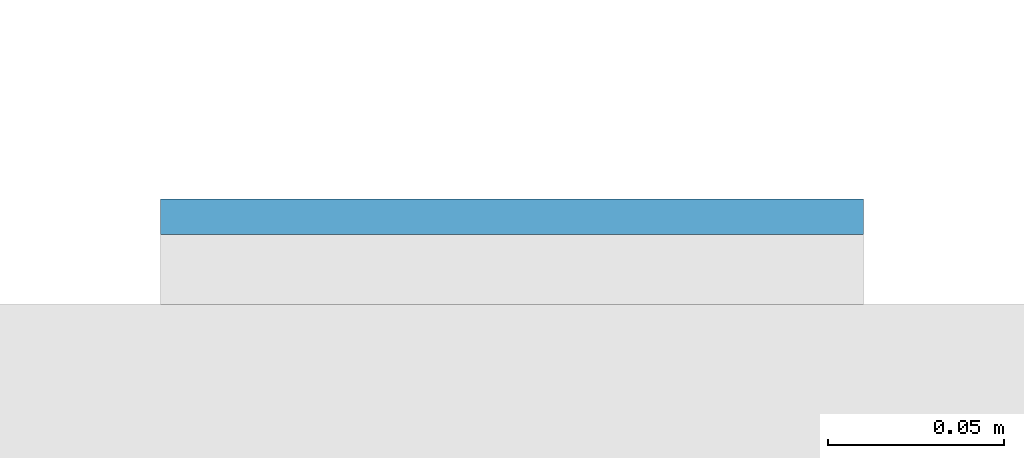
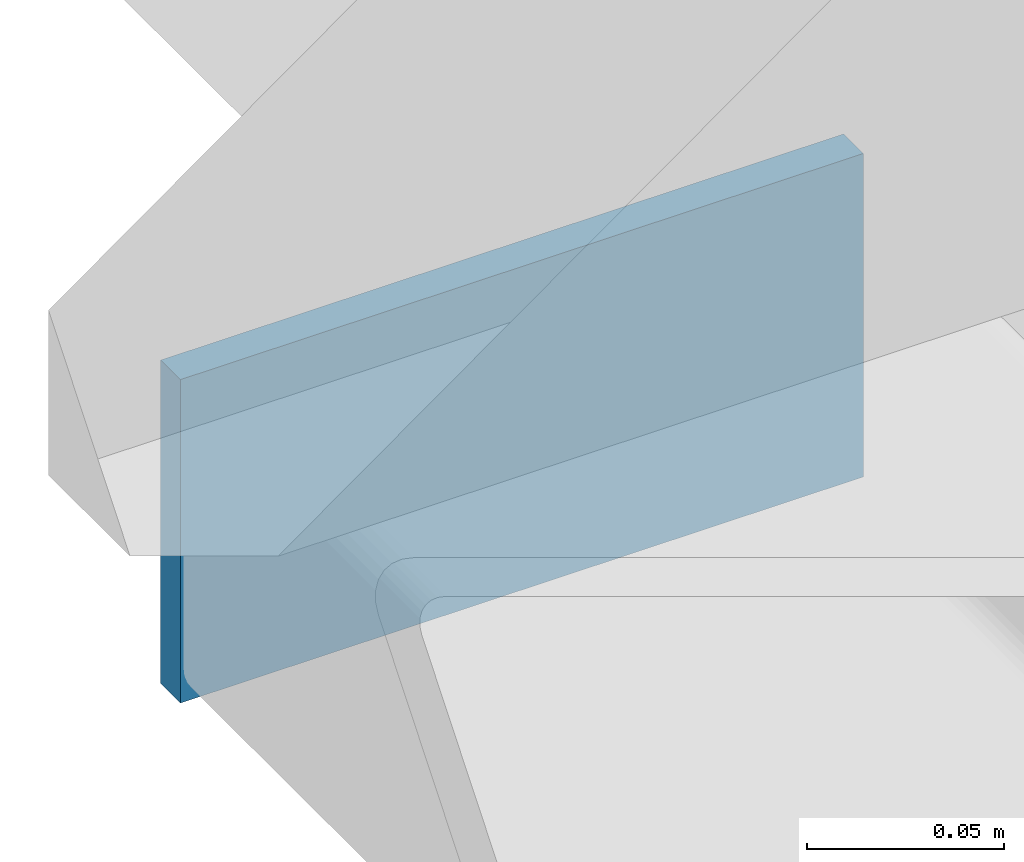
# One storey, part 9 of 21: 1 plate.
"""IFC4 building model written with IfcOpenShell, lengths in metres."""

from ifc_helpers import new_model, si_unit, direction, frame, origin, origin_2d, place, context, subcontext, project, spatial, rectangle, extrude, material, layer, layer_set, type_object, element, save


model = new_model("IFC4")

# Units and contexts
model_context = context("Model", 3, precision=1e-05, world=origin(), true_north=direction((0.0, 1.0)))
body_context = subcontext(model_context, "Body", "Model", "MODEL_VIEW")
ifc_project = project(units=[si_unit("LENGTHUNIT", "METRE"), si_unit("AREAUNIT", "SQUARE_METRE"), si_unit("VOLUMEUNIT", "CUBIC_METRE"), si_unit("PLANEANGLEUNIT", "RADIAN"), si_unit("MASSUNIT", "GRAM", prefix="KILO")], contexts=[model_context])

# Site, building, storey
site_placement = place(None, origin())
site = spatial("IfcSite", under=ifc_project, at=site_placement, CompositionType="ELEMENT")
building_placement = place(site_placement, origin())
building = spatial("IfcBuilding", under=site, at=building_placement, Name="Cleftline Residences", CompositionType="ELEMENT")
storey_placement = place(building_placement, frame((0.0, 0.0, 128.60009765625)))
storey = spatial("IfcBuildingStorey", under=building, at=storey_placement, Name="L33", CompositionType="ELEMENT", Elevation=128.60009765625)

# Plate
ifc_material = material(Name="Steel S355, hot-dip galvanised", Category="steel")
ifc_layer = layer(ifc_material, 0.010009765625)
ifc_layer_set = layer_set([ifc_layer], Name="BAGUETTE CARRIER END PLATE 200X100X10")
plate_type = type_object("IfcPlateType", Name="BAGUETTE CARRIER END PLATE 200X100X10", PredefinedType="USERDEFINED", material=ifc_layer_set)
plate_placement = place(storey_placement, frame((-0.85009765625, 44.304931640625, -0.10009765625), z_axis=(0.0, 0.0, 1.0), x_axis=(-1.0, 0.0, 0.0)))
element("IfcPlate", 1, at=plate_placement, inside=storey, type_object=plate_type, Name="Baguette carrier end plate", ObjectType="BAGUETTE CARRIER END PLATE", PredefinedType="USERDEFINED", context=body_context, shape_type="SweptSolid", body=[
    extrude(rectangle(XDim=0.199951171875, YDim=0.010009765625, at=origin_2d()), origin(), (0.0, 0.0, 1.0), 0.10009765625),
])

save(model, "model.ifc")
